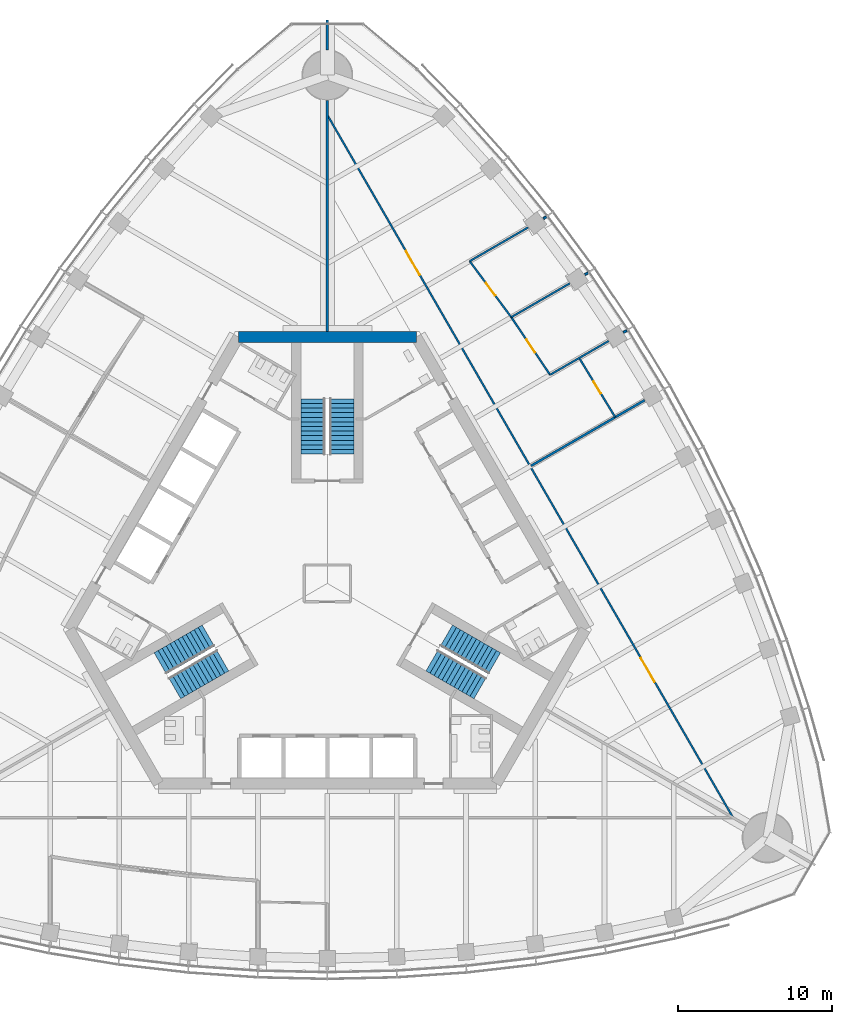
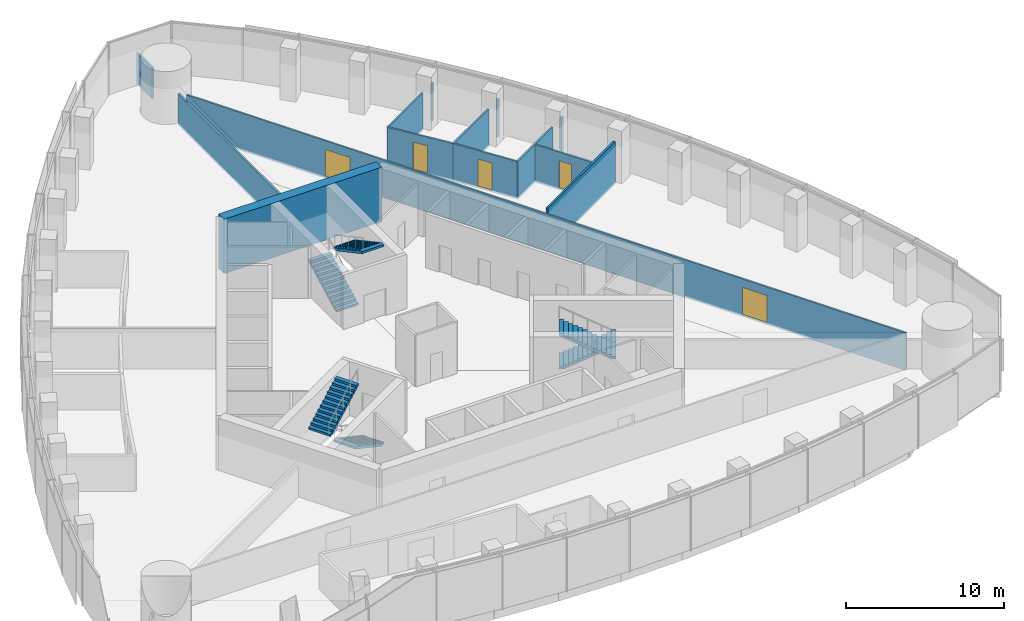
# One storey, part 14 of 19: 14 walls, 6 stair flights, 5 doors, 5 openings, 3 elements without a shape of their own.
"""IFC4 building model written with IfcOpenShell, lengths in metres."""

from ifc_helpers import new_model, si_unit, direction, frame, frame_2d, origin, place, context, subcontext, project, spatial, polyline, rectangle, outline, extrude, material, layer, layer_set, type_object, element, fill, aggregate, save


model = new_model("IFC4")

# Units and contexts
model_context = context("Model", 3, precision=1e-05, world=origin(), true_north=direction((0.0, 1.0)))
body_context = subcontext(model_context, "Body", "Model", "MODEL_VIEW")
ifc_project = project(units=[si_unit("LENGTHUNIT", "METRE"), si_unit("AREAUNIT", "SQUARE_METRE"), si_unit("VOLUMEUNIT", "CUBIC_METRE"), si_unit("PLANEANGLEUNIT", "RADIAN"), si_unit("MASSUNIT", "GRAM", prefix="KILO")], contexts=[model_context])

# Site, building, storey
site_placement = place(None, origin())
site = spatial("IfcSite", under=ifc_project, at=site_placement, CompositionType="ELEMENT")
building_placement = place(site_placement, origin())
building = spatial("IfcBuilding", under=site, at=building_placement, Name="Trefoil Bronze Tower", CompositionType="ELEMENT")
storey_placement = place(building_placement, frame((0.0, 0.0, 227.5)))
storey = spatial("IfcBuildingStorey", under=building, at=storey_placement, Name="L52", CompositionType="ELEMENT", Elevation=227.5)

# Wall
ifc_material_1 = material(Name="Concrete B80", Category="concrete")
ifc_layer_1 = layer(ifc_material_1, 0.699951171875)
ifc_layer_set_1 = layer_set([ifc_layer_1], Name="Core wall 700")
wall_type_1 = type_object("IfcWallType", Name="Core wall 700", PredefinedType="SHEAR", material=ifc_layer_set_1)
wall_1_placement = place(storey_placement, frame((5.7734375, 16.0, 0.0), z_axis=(0.0, 0.0, 1.0), x_axis=(-1.0, 0.0, 0.0)))
element("IfcWall", 1, at=wall_1_placement, inside=storey, type_object=wall_type_1, Name="Core short wall 2 L52", PredefinedType="SHEAR", context=body_context, shape_type="SweptSolid", body=[
    extrude(rectangle(XDim=11.546875, YDim=0.699951171875, at=frame_2d((5.7734375, 0.0))), origin(), (0.0, 0.0, 1.0), 4.199951171875),
])

# Wall, openings, doors
ifc_material_2 = material(Name="Glazed partition", Category="glass")
ifc_layer_2 = layer(ifc_material_2, 0.1201171875)
ifc_layer_set_2 = layer_set([ifc_layer_2], Name="Glazed partition 120")
wall_type_2 = type_object("IfcWallType", Name="Glazed partition 120", PredefinedType="PARTITIONING", material=ifc_layer_set_2)
wall_2_placement = place(storey_placement, frame((26.328125, -15.181640625, 0.0), z_axis=(0.0, 0.0, 1.0), x_axis=(-0.500000626146, 0.866025042278, 0.0)))
wall_2 = element("IfcWall", 2, at=wall_2_placement, inside=storey, type_object=wall_type_2, Name="Partition F2 L52", PredefinedType="PARTITIONING", context=body_context, shape_type="SweptSolid", body=[
    extrude(rectangle(XDim=52.62353515625, YDim=0.1201171875, at=frame_2d((26.311767578125, 0.0))), origin(), (0.0, 0.0, 1.0), 2.89990234375),
])
opening_1_placement = place(wall_2_placement, frame((10.14990234375, 0.0, 0.14990234375)))
opening_1 = element("IfcOpeningElement", 3, at=opening_1_placement, cuts=wall_2, Name="Opening D10", PredefinedType="OPENING", context=body_context, shape_type="SweptSolid", body=[
    extrude(rectangle(XDim=1.800048828125, YDim=2.10009765625, at=frame_2d((0.89990234375, 1.050048828125))), frame((0.0, 0.070068359375, 0.0), z_axis=(0.0, -1.0, 0.0), x_axis=(1.0, 0.0, 0.0)), (0.0, 0.0, 1.0), 0.14013671875),
])
opening_2_placement = place(wall_2_placement, frame((40.64990234375, 0.0, 0.14990234375)))
opening_2 = element("IfcOpeningElement", 4, at=opening_2_placement, cuts=wall_2, Name="Opening D10", PredefinedType="OPENING", context=body_context, shape_type="SweptSolid", body=[
    extrude(rectangle(XDim=1.800048828125, YDim=2.10009765625, at=frame_2d((0.89990234375, 1.050048828125))), frame((0.0, 0.070068359375, 0.0), z_axis=(0.0, -1.0, 0.0), x_axis=(1.0, 0.0, 0.0)), (0.0, 0.0, 1.0), 0.14013671875),
])
ifc_material_3 = material(Name="Timber door", Category="wood")
door_type_1 = type_object("IfcDoorType", Name="Double door 1800", OperationType="DOUBLE_DOOR_SINGLE_SWING", PredefinedType="DOOR", material=ifc_material_3)
door_1_placement = place(opening_1_placement, origin())
door_1 = element("IfcDoor", 5, at=door_1_placement, inside=storey, type_object=door_type_1, Name="Corridor door F2 L52", OperationType="DOUBLE_DOOR_SINGLE_SWING", OverallHeight=2.10009765625, OverallWidth=1.800048828125, PredefinedType="DOOR", context=body_context, shape_type="SweptSolid", body=[
    extrude(rectangle(XDim=1.800048828125, YDim=2.10009765625, at=frame_2d((0.89990234375, 1.050048828125))), frame((0.0, 0.02490234375, 0.0), z_axis=(0.0, -1.0, 0.0), x_axis=(1.0, 0.0, 0.0)), (0.0, 0.0, 1.0), 0.050048828125),
])
fill(opening_1, door_1)
door_2_placement = place(opening_2_placement, origin())
door_2 = element("IfcDoor", 6, at=door_2_placement, inside=storey, type_object=door_type_1, Name="Corridor door F2 L52", OperationType="DOUBLE_DOOR_SINGLE_SWING", OverallHeight=2.10009765625, OverallWidth=1.800048828125, PredefinedType="DOOR", context=body_context, shape_type="SweptSolid", body=[
    extrude(rectangle(XDim=1.800048828125, YDim=2.10009765625, at=frame_2d((0.89990234375, 1.050048828125))), frame((0.0, 0.02490234375, 0.0), z_axis=(0.0, -1.0, 0.0), x_axis=(1.0, 0.0, 0.0)), (0.0, 0.0, 1.0), 0.050048828125),
])
fill(opening_2, door_2)

# Wall, opening, door
wall_3_placement = place(storey_placement, frame((18.693603515625, 10.792724609375, 0.0), z_axis=(0.0, 0.0, 1.0), x_axis=(-0.519726678229, 0.854332593278, 0.0)))
wall_3 = element("IfcWall", 7, at=wall_3_placement, inside=storey, type_object=wall_type_2, Name="Partition F2 L52", PredefinedType="PARTITIONING", context=body_context, shape_type="SweptSolid", body=[
    extrude(rectangle(XDim=4.501220703125, YDim=0.1201171875, at=frame_2d((2.25048828125, 0.0))), origin(), (0.0, 0.0, 1.0), 2.89990234375),
])
opening_3_placement = place(wall_3_placement, frame((1.800048828125, 0.0, 0.14990234375)))
opening_3 = element("IfcOpeningElement", 8, at=opening_3_placement, cuts=wall_3, Name="Opening D8", PredefinedType="OPENING", context=body_context, shape_type="SweptSolid", body=[
    extrude(rectangle(XDim=0.89990234375, YDim=2.10009765625, at=frame_2d((0.449951171875, 1.050048828125))), frame((0.0, 0.070068359375, 0.0), z_axis=(0.0, -1.0, 0.0), x_axis=(1.0, 0.0, 0.0)), (0.0, 0.0, 1.0), 0.14013671875),
])
ifc_material_4 = material(Name="Timber door", Category="wood")
door_type_2 = type_object("IfcDoorType", Name="Office door 900", OperationType="SINGLE_SWING_LEFT", PredefinedType="DOOR", material=ifc_material_4)
door_3_placement = place(opening_3_placement, frame((0.89990234375, 0.0, 0.0), z_axis=(0.0, 0.0, 1.0), x_axis=(-1.0, 0.0, 0.0)))
door_3 = element("IfcDoor", 9, at=door_3_placement, inside=storey, type_object=door_type_2, Name="Store door F2 L52", OperationType="SINGLE_SWING_RIGHT", OverallHeight=2.10009765625, OverallWidth=0.89990234375, PredefinedType="DOOR", context=body_context, shape_type="SweptSolid", body=[
    extrude(rectangle(XDim=0.89990234375, YDim=2.10009765625, at=frame_2d((0.449951171875, 1.050048828125))), frame((0.0, 0.02490234375, 0.0), z_axis=(0.0, -1.0, 0.0), x_axis=(1.0, 0.0, 0.0)), (0.0, 0.0, 1.0), 0.050048828125),
])
fill(opening_3, door_3)

wall_4_placement = place(storey_placement, frame((14.4619140625, 13.545654296875, 0.0), z_axis=(0.0, 0.0, 1.0), x_axis=(-0.55850386778, 0.829501916619, 0.0)))
wall_4 = element("IfcWall", 10, at=wall_4_placement, inside=storey, type_object=wall_type_2, Name="Partition F2 L52", PredefinedType="PARTITIONING", context=body_context, shape_type="SweptSolid", body=[
    extrude(rectangle(XDim=4.5107421875, YDim=0.1201171875, at=frame_2d((2.25537109375, 0.0))), origin(), (0.0, 0.0, 1.0), 2.89990234375),
])
opening_4_placement = place(wall_4_placement, frame((1.75, 0.0, 0.14990234375)))
opening_4 = element("IfcOpeningElement", 11, at=opening_4_placement, cuts=wall_4, Name="Opening D9", PredefinedType="OPENING", context=body_context, shape_type="SweptSolid", body=[
    extrude(rectangle(XDim=1.0, YDim=2.10009765625, at=frame_2d((0.5, 1.050048828125))), frame((0.0, 0.070068359375, 0.0), z_axis=(0.0, -1.0, 0.0), x_axis=(1.0, 0.0, 0.0)), (0.0, 0.0, 1.0), 0.14013671875),
])
ifc_material_5 = material(Name="Glazed timber door", Category="wood")
door_type_3 = type_object("IfcDoorType", Name="Meeting room door 1000", OperationType="SINGLE_SWING_LEFT", PredefinedType="DOOR", material=ifc_material_5)
door_4_placement = place(opening_4_placement, frame((1.0, 0.0, 0.0), z_axis=(0.0, 0.0, 1.0), x_axis=(-1.0, 0.0, 0.0)))
door_4 = element("IfcDoor", 12, at=door_4_placement, inside=storey, type_object=door_type_3, Name="Meeting room door F2 L52", OperationType="SINGLE_SWING_RIGHT", OverallHeight=2.10009765625, OverallWidth=1.0, PredefinedType="DOOR", context=body_context, shape_type="SweptSolid", body=[
    extrude(rectangle(XDim=1.0, YDim=2.10009765625, at=frame_2d((0.5, 1.050048828125))), frame((0.0, 0.02490234375, 0.0), z_axis=(0.0, -1.0, 0.0), x_axis=(1.0, 0.0, 0.0)), (0.0, 0.0, 1.0), 0.050048828125),
])
fill(opening_4, door_4)

wall_5_placement = place(storey_placement, frame((11.942626953125, 17.287353515625, 0.0), z_axis=(0.0, 0.0, 1.0), x_axis=(-0.59613842716, 0.802881669777, 0.0)))
wall_5 = element("IfcWall", 13, at=wall_5_placement, inside=storey, type_object=wall_type_2, Name="Partition F2 L52", PredefinedType="PARTITIONING", context=body_context, shape_type="SweptSolid", body=[
    extrude(rectangle(XDim=4.52978515625, YDim=0.1201171875, at=frame_2d((2.264892578125, 0.0))), origin(), (0.0, 0.0, 1.0), 2.89990234375),
])
opening_5_placement = place(wall_5_placement, frame((1.75, 0.0, 0.14990234375)))
opening_5 = element("IfcOpeningElement", 14, at=opening_5_placement, cuts=wall_5, Name="Opening D9", PredefinedType="OPENING", context=body_context, shape_type="SweptSolid", body=[
    extrude(rectangle(XDim=1.0, YDim=2.10009765625, at=frame_2d((0.5, 1.050048828125))), frame((0.0, 0.070068359375, 0.0), z_axis=(0.0, -1.0, 0.0), x_axis=(1.0, 0.0, 0.0)), (0.0, 0.0, 1.0), 0.14013671875),
])
door_5_placement = place(opening_5_placement, frame((1.0, 0.0, 0.0), z_axis=(0.0, 0.0, 1.0), x_axis=(-1.0, 0.0, 0.0)))
door_5 = element("IfcDoor", 15, at=door_5_placement, inside=storey, type_object=door_type_3, Name="Meeting room door F2 L52", OperationType="SINGLE_SWING_RIGHT", OverallHeight=2.10009765625, OverallWidth=1.0, PredefinedType="DOOR", context=body_context, shape_type="SweptSolid", body=[
    extrude(rectangle(XDim=1.0, YDim=2.10009765625, at=frame_2d((0.5, 1.050048828125))), frame((0.0, 0.02490234375, 0.0), z_axis=(0.0, -1.0, 0.0), x_axis=(1.0, 0.0, 0.0)), (0.0, 0.0, 1.0), 0.050048828125),
])
fill(opening_5, door_5)

# Walls
wall_6_placement = place(storey_placement, frame((9.2421875, 20.92431640625, 0.0), z_axis=(0.0, 0.0, 1.0), x_axis=(0.866009302188, 0.500027887747, 0.0)))
element("IfcWall", 16, at=wall_6_placement, inside=storey, type_object=wall_type_2, Name="Partition F2 L52", PredefinedType="PARTITIONING", context=body_context, shape_type="SweptSolid", body=[
    extrude(rectangle(XDim=4.382080078125, YDim=0.1201171875, at=frame_2d((2.19091796875, 0.0))), origin(), (0.0, 0.0, 1.0), 2.89990234375),
])
wall_7_placement = place(storey_placement, frame((14.4619140625, 13.545654296875, 0.0), z_axis=(0.0, 0.0, 1.0), x_axis=(0.866025498715, 0.499999835575, 0.0)))
element("IfcWall", 17, at=wall_7_placement, inside=storey, type_object=wall_type_2, Name="Partition F2 L52", PredefinedType="PARTITIONING", context=body_context, shape_type="SweptSolid", body=[
    extrude(rectangle(XDim=4.3935546875, YDim=0.1201171875, at=frame_2d((2.19677734375, 0.0))), origin(), (0.0, 0.0, 1.0), 2.89990234375),
])
wall_8_placement = place(storey_placement, frame((11.942626953125, 17.287353515625, 0.0), z_axis=(0.0, 0.0, 1.0), x_axis=(0.86600959659, 0.500027377864, 0.0)))
element("IfcWall", 18, at=wall_8_placement, inside=storey, type_object=wall_type_2, Name="Partition F2 L52", PredefinedType="PARTITIONING", context=body_context, shape_type="SweptSolid", body=[
    extrude(rectangle(XDim=4.389404296875, YDim=0.1201171875, at=frame_2d((2.19482421875, 0.0))), origin(), (0.0, 0.0, 1.0), 2.89990234375),
])
ifc_material_6 = material(Name="Gypsum board on steel studs", Category="steel")
ifc_layer_3 = layer(ifc_material_6, 0.14990234375)
ifc_layer_set_3 = layer_set([ifc_layer_3], Name="Partition 150")
wall_type_3 = type_object("IfcWallType", Name="Partition 150", PredefinedType="PARTITIONING", material=ifc_layer_set_3)
wall_9_placement = place(storey_placement, frame((14.038818359375, 23.69384765625, 0.0), z_axis=(0.0, 0.0, 1.0), x_axis=(0.866047486323, 0.49996174997, 0.0)))
element("IfcWall", 19, at=wall_9_placement, inside=storey, type_object=wall_type_3, Name="Partition F2 L52", PredefinedType="PARTITIONING", context=body_context, shape_type="SweptSolid", body=[
    extrude(rectangle(XDim=0.2060546875, YDim=0.14990234375, at=frame_2d((0.10302734375, 0.0))), origin(), (0.0, 0.0, 1.0), 2.89990234375),
])
wall_10_placement = place(storey_placement, frame((19.2265625, 16.296630859375, 0.0), z_axis=(0.0, 0.0, 1.0), x_axis=(0.866135455726, 0.499809335981, 0.0)))
element("IfcWall", 20, at=wall_10_placement, inside=storey, type_object=wall_type_3, Name="Partition F2 L52", PredefinedType="PARTITIONING", context=body_context, shape_type="SweptSolid", body=[
    extrude(rectangle(XDim=0.2431640625, YDim=0.14990234375, at=frame_2d((0.12158203125, 0.0))), origin(), (0.0, 0.0, 1.0), 2.89990234375),
])
wall_11_placement = place(storey_placement, frame((16.724609375, 20.04833984375, 0.0), z_axis=(0.0, 0.0, 1.0), x_axis=(0.866149170119, 0.499785569122, 0.0)))
element("IfcWall", 21, at=wall_11_placement, inside=storey, type_object=wall_type_3, Name="Partition F2 L52", PredefinedType="PARTITIONING", context=body_context, shape_type="SweptSolid", body=[
    extrude(rectangle(XDim=0.22314453125, YDim=0.14990234375, at=frame_2d((0.111572265625, 0.0))), origin(), (0.0, 0.0, 1.0), 2.89990234375),
])
ifc_material_7 = material(Name="Gypsum board on steel studs", Category="steel")
ifc_layer_4 = layer(ifc_material_7, 0.14990234375)
ifc_layer_set_4 = layer_set([ifc_layer_4], Name="Party wall 150")
wall_type_4 = type_object("IfcWallType", Name="Party wall 150", PredefinedType="PARTITIONING", material=ifc_layer_set_4)
wall_12_placement = place(storey_placement, frame((0.0, 16.35009765625, 0.0), z_axis=(0.0, 0.0, 1.0), x_axis=(0.0, 1.0, 0.0)))
element("IfcWall", 22, at=wall_12_placement, inside=storey, type_object=wall_type_4, Name="Party wall K2 L52", PredefinedType="PARTITIONING", context=body_context, shape_type="SweptSolid", body=[
    extrude(rectangle(XDim=15.0, YDim=0.14990234375, at=frame_2d((7.5, 0.0))), origin(), (0.0, 0.0, 1.0), 2.39990234375),
])
wall_13_placement = place(storey_placement, frame((0.0, 34.64990234375, 0.0), z_axis=(0.0, 0.0, 1.0), x_axis=(0.0, 1.0, 0.0)))
element("IfcWall", 23, at=wall_13_placement, inside=storey, type_object=wall_type_4, Name="Party wall K2 L52", PredefinedType="PARTITIONING", context=body_context, shape_type="SweptSolid", body=[
    extrude(rectangle(XDim=1.934814453125, YDim=0.14990234375, at=frame_2d((0.96728515625, 0.0))), origin(), (0.0, 0.0, 1.0), 2.39990234375),
])
wall_14_placement = place(storey_placement, frame((13.22412109375, 7.635009765625, 0.0), z_axis=(0.0, 0.0, 1.0), x_axis=(0.866035375346, 0.499982728352, 0.0)))
element("IfcWall", 24, at=wall_14_placement, inside=storey, type_object=wall_type_4, Name="Demising wall F2 L52", PredefinedType="PARTITIONING", context=body_context, shape_type="SweptSolid", body=[
    extrude(rectangle(XDim=8.525634765625, YDim=0.14990234375, at=frame_2d((4.2626953125, 0.0))), origin(), (0.0, 0.0, 1.0), 3.300048828125),
])

# Stair, stair flights
ifc_material_8 = material(Name="Precast concrete B80", Category="concrete")
stair_type = type_object("IfcStairType", Name="Exit stair 26 risers", PredefinedType="HALF_TURN_STAIR", material=ifc_material_8)
stair_1_placement = place(storey_placement, origin())
stair_1 = element("IfcStair", 25, at=stair_1_placement, inside=storey, type_object=stair_type, Name="Stair ST1 L52", PredefinedType="HALF_TURN_STAIR")
ifc_material_9 = material(Name="Precast concrete B80", Category="concrete")
stair_flight_type = type_object("IfcStairFlightType", Name="Stair flight 1600", PredefinedType="STRAIGHT", material=ifc_material_9)
stair_flight_1_placement = place(storey_placement, frame((7.728515625, -3.39404296875, 0.0), z_axis=(0.0, 0.0, 1.0), x_axis=(0.866025403784, -0.5, 0.0)))
stair_flight_1 = element("IfcStairFlight", 26, at=stair_flight_1_placement, type_object=stair_flight_type, Name="ST1 flight 1", NumberOfRisers=13, NumberOfTreads=12, PredefinedType="STRAIGHT", RiserHeight=0.161538462, TreadLength=0.3, context=body_context, shape_type="SweptSolid", body=[
    extrude(outline(polyline([(0.0, 0.0), (0.0, 0.16162109375), (0.300048828125, 0.16162109375), (0.300048828125, 0.322998046875), (0.60009765625, 0.322998046875), (0.60009765625, 0.484619140625), (0.89990234375, 0.484619140625), (0.89990234375, 0.646240234375), (1.199951171875, 0.646240234375), (1.199951171875, 0.8076171875), (1.5, 0.8076171875), (1.5, 0.96923828125), (1.800048828125, 0.96923828125), (1.800048828125, 1.130859375), (2.10009765625, 1.130859375), (2.10009765625, 1.292236328125), (2.39990234375, 1.292236328125), (2.39990234375, 1.453857421875), (2.699951171875, 1.453857421875), (2.699951171875, 1.615478515625), (3.0, 1.615478515625), (3.0, 1.77685546875), (3.300048828125, 1.77685546875), (3.300048828125, 1.9384765625), (3.60009765625, 1.9384765625), (3.60009765625, 2.10009765625), (3.60009765625, 1.768310546875), (0.316162109375, 0.0), (0.0, 0.0)])), frame((0.0, 0.800048828125, 0.0), z_axis=(0.0, -1.0, 0.0), x_axis=(1.0, 0.0, 0.0)), (0.0, 0.0, 1.0), 1.60009765625),
])
stair_flight_2_placement = place(storey_placement, frame((9.921142578125, -6.796142578125, 2.10009765625), z_axis=(0.0, 0.0, 1.0), x_axis=(-0.866025403784, 0.5, 0.0)))
stair_flight_2 = element("IfcStairFlight", 27, at=stair_flight_2_placement, type_object=stair_flight_type, Name="ST1 flight 2", NumberOfRisers=13, NumberOfTreads=12, PredefinedType="STRAIGHT", RiserHeight=0.161538462, TreadLength=0.3, context=body_context, shape_type="SweptSolid", body=[
    extrude(outline(polyline([(0.0, 0.0), (0.0, 0.16162109375), (0.300048828125, 0.16162109375), (0.300048828125, 0.322998046875), (0.60009765625, 0.322998046875), (0.60009765625, 0.484619140625), (0.89990234375, 0.484619140625), (0.89990234375, 0.646240234375), (1.199951171875, 0.646240234375), (1.199951171875, 0.8076171875), (1.5, 0.8076171875), (1.5, 0.96923828125), (1.800048828125, 0.96923828125), (1.800048828125, 1.130859375), (2.10009765625, 1.130859375), (2.10009765625, 1.292236328125), (2.39990234375, 1.292236328125), (2.39990234375, 1.453857421875), (2.699951171875, 1.453857421875), (2.699951171875, 1.615478515625), (3.0, 1.615478515625), (3.0, 1.77685546875), (3.300048828125, 1.77685546875), (3.300048828125, 1.9384765625), (3.60009765625, 1.9384765625), (3.60009765625, 2.10009765625), (3.60009765625, 1.768310546875), (0.316162109375, 0.0), (0.0, 0.0)])), frame((0.0, 0.800048828125, 0.0), z_axis=(0.0, -1.0, 0.0), x_axis=(1.0, 0.0, 0.0)), (0.0, 0.0, 1.0), 1.60009765625),
])
aggregate(stair_1, [stair_flight_1, stair_flight_2])

stair_2_placement = place(storey_placement, origin())
stair_2 = element("IfcStair", 28, at=stair_2_placement, inside=storey, type_object=stair_type, Name="Stair ST2 L52", PredefinedType="HALF_TURN_STAIR")
stair_flight_3_placement = place(storey_placement, frame((-0.925048828125, 8.389892578125, 0.0), z_axis=(0.0, 0.0, 1.0), x_axis=(0.0, 1.0, 0.0)))
stair_flight_3 = element("IfcStairFlight", 29, at=stair_flight_3_placement, type_object=stair_flight_type, Name="ST2 flight 1", NumberOfRisers=13, NumberOfTreads=12, PredefinedType="STRAIGHT", RiserHeight=0.161538462, TreadLength=0.3, context=body_context, shape_type="SweptSolid", body=[
    extrude(outline(polyline([(0.0, 0.0), (0.0, 0.16162109375), (0.300048828125, 0.16162109375), (0.300048828125, 0.322998046875), (0.60009765625, 0.322998046875), (0.60009765625, 0.484619140625), (0.89990234375, 0.484619140625), (0.89990234375, 0.646240234375), (1.199951171875, 0.646240234375), (1.199951171875, 0.8076171875), (1.5, 0.8076171875), (1.5, 0.96923828125), (1.800048828125, 0.96923828125), (1.800048828125, 1.130859375), (2.10009765625, 1.130859375), (2.10009765625, 1.292236328125), (2.39990234375, 1.292236328125), (2.39990234375, 1.453857421875), (2.699951171875, 1.453857421875), (2.699951171875, 1.615478515625), (3.0, 1.615478515625), (3.0, 1.77685546875), (3.300048828125, 1.77685546875), (3.300048828125, 1.9384765625), (3.60009765625, 1.9384765625), (3.60009765625, 2.10009765625), (3.60009765625, 1.768310546875), (0.316162109375, 0.0), (0.0, 0.0)])), frame((0.0, 0.800048828125, 0.0), z_axis=(0.0, -1.0, 0.0), x_axis=(1.0, 0.0, 0.0)), (0.0, 0.0, 1.0), 1.60009765625),
])
stair_flight_4_placement = place(storey_placement, frame((0.925048828125, 11.989990234375, 2.10009765625), z_axis=(0.0, 0.0, 1.0), x_axis=(0.0, -1.0, 0.0)))
stair_flight_4 = element("IfcStairFlight", 30, at=stair_flight_4_placement, type_object=stair_flight_type, Name="ST2 flight 2", NumberOfRisers=13, NumberOfTreads=12, PredefinedType="STRAIGHT", RiserHeight=0.161538462, TreadLength=0.3, context=body_context, shape_type="SweptSolid", body=[
    extrude(outline(polyline([(0.0, 0.0), (0.0, 0.16162109375), (0.300048828125, 0.16162109375), (0.300048828125, 0.322998046875), (0.60009765625, 0.322998046875), (0.60009765625, 0.484619140625), (0.89990234375, 0.484619140625), (0.89990234375, 0.646240234375), (1.199951171875, 0.646240234375), (1.199951171875, 0.8076171875), (1.5, 0.8076171875), (1.5, 0.96923828125), (1.800048828125, 0.96923828125), (1.800048828125, 1.130859375), (2.10009765625, 1.130859375), (2.10009765625, 1.292236328125), (2.39990234375, 1.292236328125), (2.39990234375, 1.453857421875), (2.699951171875, 1.453857421875), (2.699951171875, 1.615478515625), (3.0, 1.615478515625), (3.0, 1.77685546875), (3.300048828125, 1.77685546875), (3.300048828125, 1.9384765625), (3.60009765625, 1.9384765625), (3.60009765625, 2.10009765625), (3.60009765625, 1.768310546875), (0.316162109375, 0.0), (0.0, 0.0)])), frame((0.0, 0.800048828125, 0.0), z_axis=(0.0, -1.0, 0.0), x_axis=(1.0, 0.0, 0.0)), (0.0, 0.0, 1.0), 1.60009765625),
])
aggregate(stair_2, [stair_flight_3, stair_flight_4])

stair_3_placement = place(storey_placement, origin())
stair_3 = element("IfcStair", 31, at=stair_3_placement, inside=storey, type_object=stair_type, Name="Stair ST3 L52", PredefinedType="HALF_TURN_STAIR")
stair_flight_5_placement = place(storey_placement, frame((-6.803466796875, -4.99609375, 0.0), z_axis=(0.0, 0.0, 1.0), x_axis=(-0.866025403784, -0.5, 0.0)))
stair_flight_5 = element("IfcStairFlight", 32, at=stair_flight_5_placement, type_object=stair_flight_type, Name="ST3 flight 1", NumberOfRisers=13, NumberOfTreads=12, PredefinedType="STRAIGHT", RiserHeight=0.161538462, TreadLength=0.3, context=body_context, shape_type="SweptSolid", body=[
    extrude(outline(polyline([(0.0, 0.0), (0.0, 0.16162109375), (0.300048828125, 0.16162109375), (0.300048828125, 0.322998046875), (0.60009765625, 0.322998046875), (0.60009765625, 0.484619140625), (0.89990234375, 0.484619140625), (0.89990234375, 0.646240234375), (1.199951171875, 0.646240234375), (1.199951171875, 0.8076171875), (1.5, 0.8076171875), (1.5, 0.96923828125), (1.800048828125, 0.96923828125), (1.800048828125, 1.130859375), (2.10009765625, 1.130859375), (2.10009765625, 1.292236328125), (2.39990234375, 1.292236328125), (2.39990234375, 1.453857421875), (2.699951171875, 1.453857421875), (2.699951171875, 1.615478515625), (3.0, 1.615478515625), (3.0, 1.77685546875), (3.300048828125, 1.77685546875), (3.300048828125, 1.9384765625), (3.60009765625, 1.9384765625), (3.60009765625, 2.10009765625), (3.60009765625, 1.768310546875), (0.316162109375, 0.0), (0.0, 0.0)])), frame((0.0, 0.800048828125, 0.0), z_axis=(0.0, -1.0, 0.0), x_axis=(1.0, 0.0, 0.0)), (0.0, 0.0, 1.0), 1.60009765625),
])
stair_flight_6_placement = place(storey_placement, frame((-10.84619140625, -5.19384765625, 2.10009765625), z_axis=(0.0, 0.0, 1.0), x_axis=(0.866025403784, 0.5, 0.0)))
stair_flight_6 = element("IfcStairFlight", 33, at=stair_flight_6_placement, type_object=stair_flight_type, Name="ST3 flight 2", NumberOfRisers=13, NumberOfTreads=12, PredefinedType="STRAIGHT", RiserHeight=0.161538462, TreadLength=0.3, context=body_context, shape_type="SweptSolid", body=[
    extrude(outline(polyline([(0.0, 0.0), (0.0, 0.16162109375), (0.300048828125, 0.16162109375), (0.300048828125, 0.322998046875), (0.60009765625, 0.322998046875), (0.60009765625, 0.484619140625), (0.89990234375, 0.484619140625), (0.89990234375, 0.646240234375), (1.199951171875, 0.646240234375), (1.199951171875, 0.8076171875), (1.5, 0.8076171875), (1.5, 0.96923828125), (1.800048828125, 0.96923828125), (1.800048828125, 1.130859375), (2.10009765625, 1.130859375), (2.10009765625, 1.292236328125), (2.39990234375, 1.292236328125), (2.39990234375, 1.453857421875), (2.699951171875, 1.453857421875), (2.699951171875, 1.615478515625), (3.0, 1.615478515625), (3.0, 1.77685546875), (3.300048828125, 1.77685546875), (3.300048828125, 1.9384765625), (3.60009765625, 1.9384765625), (3.60009765625, 2.10009765625), (3.60009765625, 1.768310546875), (0.316162109375, 0.0), (0.0, 0.0)])), frame((0.0, 0.800048828125, 0.0), z_axis=(0.0, -1.0, 0.0), x_axis=(1.0, 0.0, 0.0)), (0.0, 0.0, 1.0), 1.60009765625),
])
aggregate(stair_3, [stair_flight_5, stair_flight_6])

save(model, "model.ifc")
